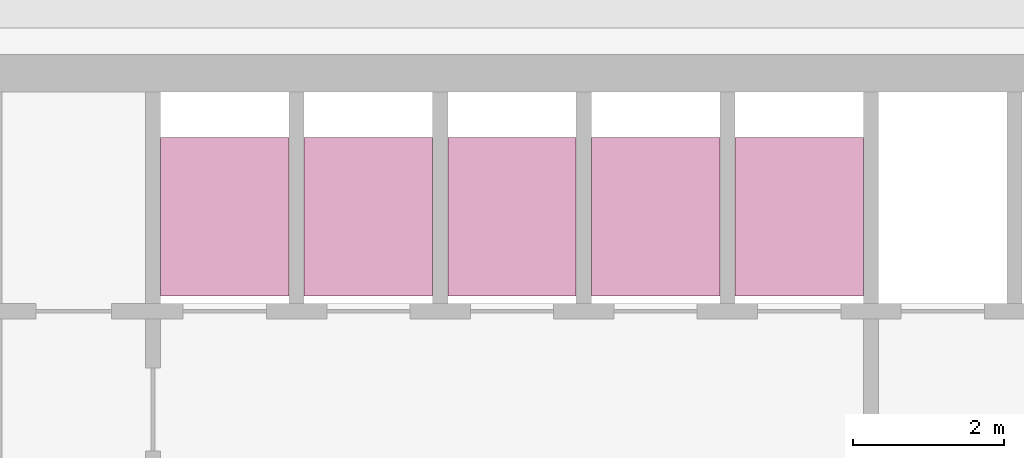
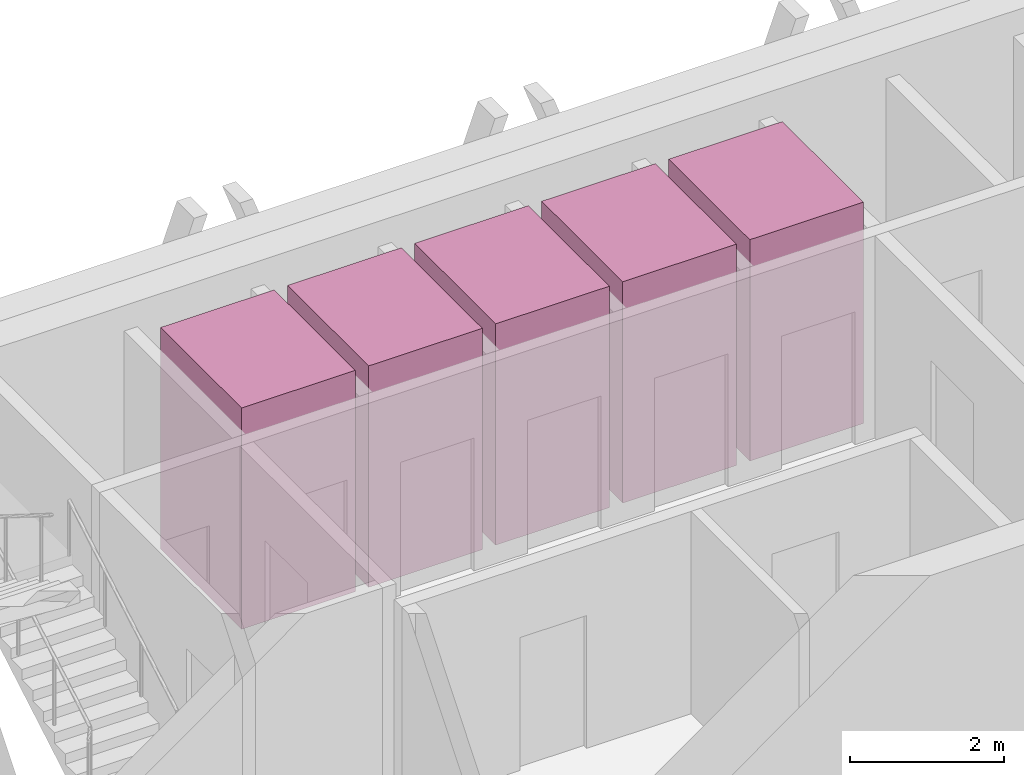
# One storey, part 11 of 11: 5 transport elements.
"""IFC4 building model written with IfcOpenShell, lengths in metres."""

from ifc_helpers import new_model, si_unit, direction, frame, origin, origin_2d, place, context, subcontext, project, spatial, rectangle, extrude, material, type_object, element, save


model = new_model("IFC4")

# Units and contexts
model_context = context("Model", 3, precision=1e-05, world=origin(), true_north=direction((0.0, 1.0)))
body_context = subcontext(model_context, "Body", "Model", "MODEL_VIEW")
ifc_project = project(units=[si_unit("LENGTHUNIT", "METRE"), si_unit("AREAUNIT", "SQUARE_METRE"), si_unit("VOLUMEUNIT", "CUBIC_METRE"), si_unit("PLANEANGLEUNIT", "RADIAN"), si_unit("MASSUNIT", "GRAM", prefix="KILO")], contexts=[model_context])

# Site, building, storey
site_placement = place(None, origin())
site = spatial("IfcSite", under=ifc_project, at=site_placement, CompositionType="ELEMENT")
building_placement = place(site_placement, origin())
building = spatial("IfcBuilding", under=site, at=building_placement, Name="Altiplano Prism Tower", CompositionType="ELEMENT")
storey_placement = place(building_placement, frame((0.0, 0.0, 327.39990234375)))
storey = spatial("IfcBuildingStorey", under=building, at=storey_placement, Name="L85", CompositionType="ELEMENT", Elevation=327.39990234375)

# Transport elements
ifc_material = material(Name="Stainless steel lift car", Category="steel")
transport_element_type = type_object("IfcTransportElementType", Name="Passenger lift car 1600 x 2100", PredefinedType="ELEVATOR", material=ifc_material)
for number, where, z_axis, x_axis, name in (
    (1, (79.050048828125, 101.75, 0.050048828125), (0.0, 0.0, 1.0), (1.0, 0.0, 0.0), "High Zone Passenger Lift 1"),
    (2, (80.949951171875, 101.75, 0.050048828125), (0.0, 0.0, 1.0), (1.0, 0.0, 0.0), "High Zone Passenger Lift 2"),
    (3, (82.85009765625, 101.75, 0.050048828125), (0.0, 0.0, 1.0), (1.0, 0.0, 0.0), "High Zone Passenger Lift 3"),
    (4, (84.75, 101.75, 0.050048828125), (0.0, 0.0, 1.0), (1.0, 0.0, 0.0), "High Zone Passenger Lift 4"),
    (5, (86.64990234375, 101.75, 0.050048828125), (0.0, 0.0, 1.0), (1.0, 0.0, 0.0), "High Zone Passenger Lift 5"),
):
    element("IfcTransportElement", number, at=place(storey_placement, frame(where, z_axis=z_axis, x_axis=x_axis)), inside=storey, type_object=transport_element_type, Name=name, PredefinedType="ELEVATOR", context=body_context, shape_type="SweptSolid", body=[
        extrude(rectangle(XDim=1.699951171875, YDim=2.10009765625, at=origin_2d()), origin(), (0.0, 0.0, 1.0), 3.5),
    ])

save(model, "model.ifc")
